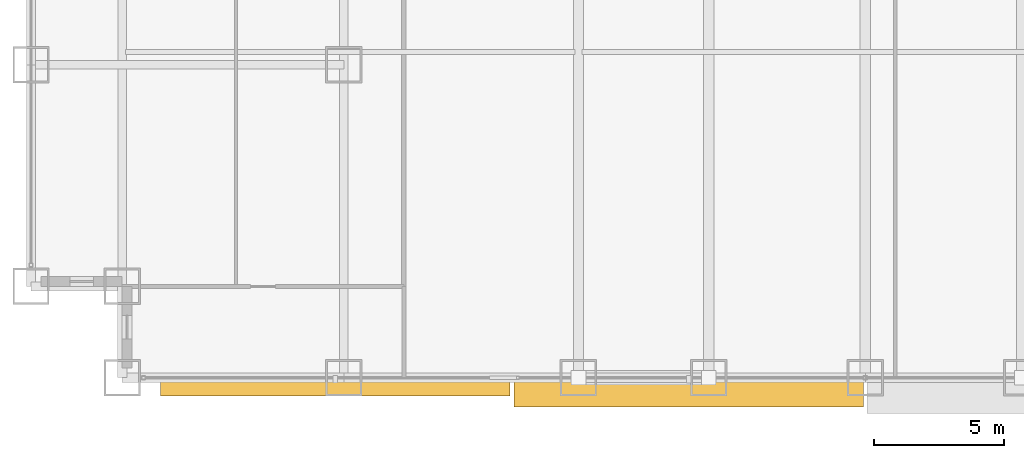
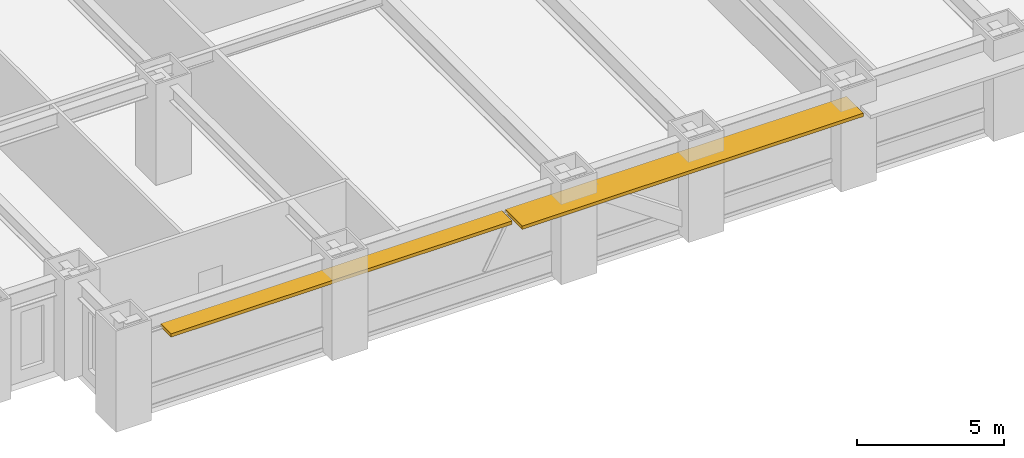
# One storey, part 28 of 32: 2 shading devices.
"""IFC4 building model written with IfcOpenShell, lengths in metres."""

from ifc_helpers import new_model, si_unit, direction, frame, origin, origin_2d, place, context, subcontext, project, spatial, rectangle, extrude, source, transform, mapped, material, layer, layer_set, type_object, element, save


model = new_model("IFC4")

# Units and contexts
model_context = context("Model", 3, precision=1e-05, world=origin(), true_north=direction((0.0, 1.0)))
body_context = subcontext(model_context, "Body", "Model", "MODEL_VIEW")
ifc_project = project(units=[si_unit("LENGTHUNIT", "METRE"), si_unit("AREAUNIT", "SQUARE_METRE"), si_unit("VOLUMEUNIT", "CUBIC_METRE"), si_unit("PLANEANGLEUNIT", "RADIAN"), si_unit("MASSUNIT", "GRAM", prefix="KILO")], contexts=[model_context])

# Site, building, storey
site_placement = place(None, origin())
site = spatial("IfcSite", under=ifc_project, at=site_placement, CompositionType="ELEMENT")
building_placement = place(site_placement, origin())
building = spatial("IfcBuilding", under=site, at=building_placement, Name="Khorayat Bourse Tower", CompositionType="ELEMENT")
storey_placement = place(building_placement, frame((0.0, 0.0, 78.800048828125)))
storey = spatial("IfcBuildingStorey", under=building, at=storey_placement, Name="L17", CompositionType="ELEMENT", Elevation=78.800048828125)

# Shading devices
ifc_material = material(Name="Precast concrete C45/55", Category="concrete")
ifc_layer = layer(ifc_material, 0.139892578125)
ifc_layer_set = layer_set([ifc_layer], Name="Precast concrete C45/55")
shading_device_type = type_object("IfcShadingDeviceType", Name="SHD-WAVE-TRAY-B", PredefinedType="USERDEFINED", material=ifc_layer_set)
shared_shape_1 = source(origin(), body_context, "Body", "SweptSolid", [
    extrude(rectangle(XDim=13.409912109375, YDim=0.71337890625, at=origin_2d()), origin(), (0.0, 0.0, 1.0), 0.139892578125),
])
shading_device_1_placement = place(storey_placement, frame((-20.324951171875, -32.3369140625, 3.18994140625), z_axis=(0.0, 0.0, 1.0), x_axis=(1.0, 0.0, 0.0)))
element("IfcShadingDevice", 1, at=shading_device_1_placement, inside=storey, type_object=shading_device_type, Name="L17 Sinusoidal Wave Sunshade Tray S-1", ObjectType="SUNSHADE", PredefinedType="USERDEFINED", context=body_context, shape_type="MappedRepresentation", body=[
    mapped(shared_shape_1, transform((0.0, 0.0, 0.0), scale=1.0)),
])
shared_shape_2 = source(origin(), body_context, "Body", "SweptSolid", [
    extrude(rectangle(XDim=13.409912109375, YDim=1.153076171875, at=origin_2d()), origin(), (0.0, 0.0, 1.0), 0.139892578125),
])
shading_device_2_placement = place(storey_placement, frame((-6.77490234375, -32.556396484375, 3.18994140625), z_axis=(0.0, 0.0, 1.0), x_axis=(1.0, 0.0, 0.0)))
element("IfcShadingDevice", 2, at=shading_device_2_placement, inside=storey, type_object=shading_device_type, Name="L17 Sinusoidal Wave Sunshade Tray S-2", ObjectType="SUNSHADE", PredefinedType="USERDEFINED", context=body_context, shape_type="MappedRepresentation", body=[
    mapped(shared_shape_2, transform((0.0, 0.0, 0.0), scale=1.0)),
])

save(model, "model.ifc")
